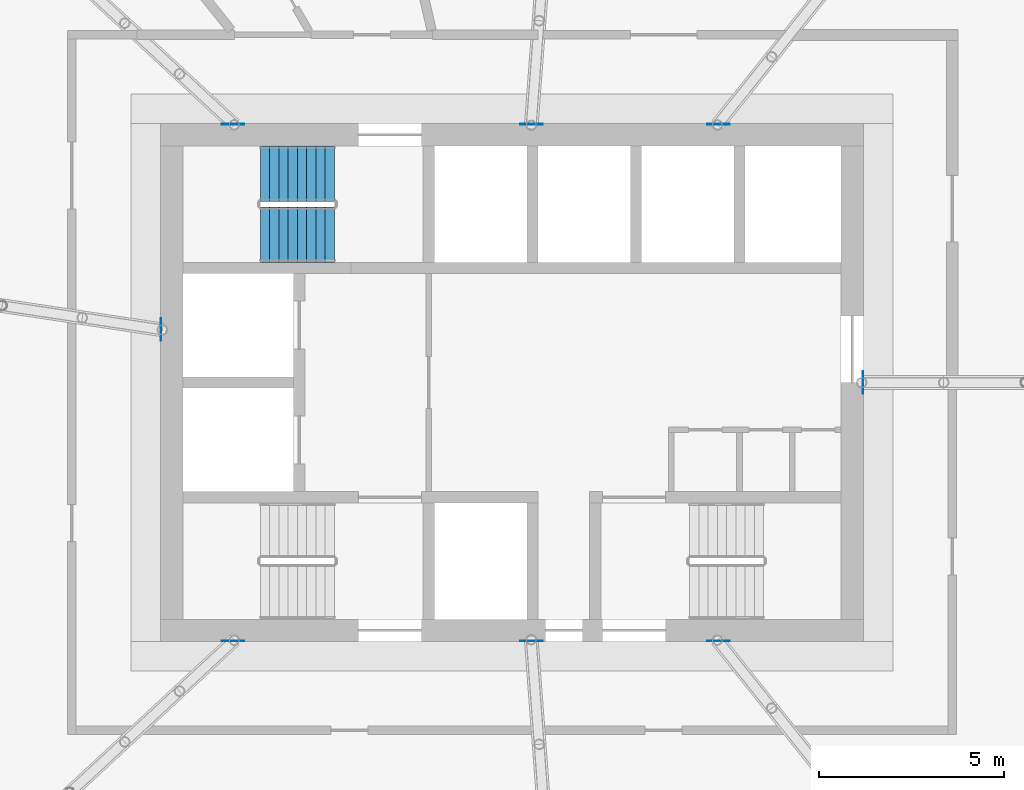
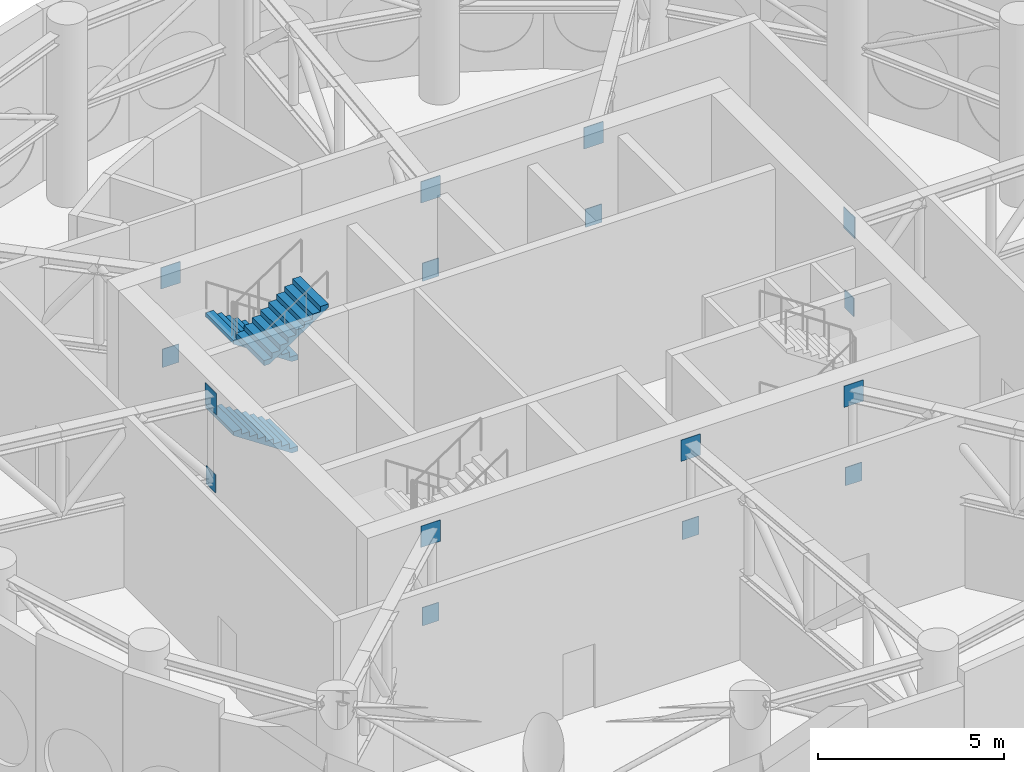
# One storey, part 12 of 13: 16 discrete accessories, 3 stair flights, 1 element without a shape of its own.
"""IFC4 building model written with IfcOpenShell, lengths in metres."""

from ifc_helpers import new_model, si_unit, direction, frame, origin, origin_2d, place, context, subcontext, project, spatial, polyline, rectangle, outline, extrude, material, layer, layer_set, type_object, element, aggregate, save


model = new_model("IFC4")

# Units and contexts
model_context = context("Model", 3, precision=1e-05, world=origin(), true_north=direction((0.0, 1.0)))
body_context = subcontext(model_context, "Body", "Model", "MODEL_VIEW")
ifc_project = project(units=[si_unit("LENGTHUNIT", "METRE"), si_unit("AREAUNIT", "SQUARE_METRE"), si_unit("VOLUMEUNIT", "CUBIC_METRE"), si_unit("PLANEANGLEUNIT", "RADIAN"), si_unit("MASSUNIT", "GRAM", prefix="KILO")], contexts=[model_context])

# Site, building, storey
site_placement = place(None, origin())
site = spatial("IfcSite", under=ifc_project, at=site_placement, CompositionType="ELEMENT")
building_placement = place(site_placement, origin())
building = spatial("IfcBuilding", under=site, at=building_placement, Name="Tracery Tower", CompositionType="ELEMENT")
storey_placement = place(building_placement, frame((0.0, 0.0, 277.800048828125)))
storey = spatial("IfcBuildingStorey", under=building, at=storey_placement, Name="L72 Plant", CompositionType="ELEMENT", Elevation=277.800048828125)

# Stair, stair flights
ifc_material_1 = material(Name="Concrete C32/40", Category="concrete")
stair_type = type_object("IfcStairType", Name="Core stair 36 risers", PredefinedType="HALF_TURN_STAIR", material=ifc_material_1)
stair_placement = place(storey_placement, origin())
stair = element("IfcStair", 1, at=stair_placement, inside=storey, type_object=stair_type, Name="L72 Plant stair ST3", PredefinedType="HALF_TURN_STAIR")
ifc_material_2 = material(Name="Concrete C32/40", Category="concrete")
stair_flight_type = type_object("IfcStairFlightType", Name="Core stair flight 9 risers", PredefinedType="STRAIGHT", material=ifc_material_2)
stair_flight_1_placement = place(storey_placement, frame((-4.800048828125, 5.64990234375, 0.0), z_axis=(0.0, 0.0, 1.0), x_axis=(-1.0, 0.0, 0.0)))
stair_flight_1 = element("IfcStairFlight", 2, at=stair_flight_1_placement, type_object=stair_flight_type, Name="ST3 flight 1", NumberOfRisers=9, NumberOfTreads=8, PredefinedType="STRAIGHT", RiserHeight=0.166666667, TreadLength=0.25, context=body_context, shape_type="SweptSolid", body=[
    extrude(outline(polyline([(0.0, 0.0), (0.0, 0.002685546875), (0.0, 0.00537109375), (0.0, 0.00830078125), (0.0, 0.010986328125), (0.0, 0.013671875), (0.0, 0.016357421875), (0.0, 0.01904296875), (0.0, 0.02197265625), (0.0, 0.024658203125), (0.0, 0.02734375), (0.0, 0.030029296875), (0.0, 0.03271484375), (0.0, 0.035400390625), (0.0, 0.038330078125), (0.0, 0.041015625), (0.0, 0.043701171875), (0.0, 0.04638671875), (0.0, 0.049072265625), (0.0, 0.052001953125), (0.0, 0.0546875), (0.0, 0.057373046875), (0.0, 0.06005859375), (0.0, 0.062744140625), (0.0, 0.065673828125), (0.0, 0.068359375), (0.0, 0.071044921875), (0.0, 0.07373046875), (0.0, 0.076416015625), (0.0, 0.079345703125), (0.0, 0.08203125), (0.0, 0.084716796875), (0.0, 0.08740234375), (0.0, 0.090087890625), (0.0, 0.093017578125), (0.0, 0.095703125), (0.0, 0.098388671875), (0.0, 0.10107421875), (0.0, 0.103759765625), (0.0, 0.1064453125), (0.0, 0.109375), (0.0, 0.112060546875), (0.0, 0.11474609375), (0.0, 0.117431640625), (0.0, 0.1201171875), (0.0, 0.123046875), (0.0, 0.125732421875), (0.0, 0.12841796875), (0.0, 0.131103515625), (0.0, 0.1337890625), (0.0, 0.13671875), (0.0, 0.139404296875), (0.0, 0.14208984375), (0.0, 0.144775390625), (0.0, 0.1474609375), (0.0, 0.150390625), (0.0, 0.153076171875), (0.0, 0.15576171875), (0.0, 0.158447265625), (0.0, 0.1611328125), (0.0, 0.163818359375), (0.0, 0.166748046875), (0.25, 0.166748046875), (0.25, 0.333251953125), (0.5, 0.333251953125), (0.5, 0.5), (0.75, 0.5), (0.75, 0.666748046875), (1.0, 0.666748046875), (1.0, 0.833251953125), (1.25, 0.833251953125), (1.25, 1.0), (1.5, 1.0), (1.5, 1.166748046875), (1.75, 1.166748046875), (1.75, 1.333251953125), (2.0, 1.333251953125), (2.0, 1.331298828125), (2.0, 1.329345703125), (2.0, 1.327392578125), (2.0, 1.325439453125), (2.0, 1.323486328125), (2.0, 1.321533203125), (2.0, 1.319580078125), (2.0, 1.317626953125), (2.0, 1.315673828125), (2.0, 1.313720703125), (2.0, 1.3115234375), (2.0, 1.3095703125), (2.0, 1.3076171875), (2.0, 1.3056640625), (2.0, 1.3037109375), (2.0, 1.3017578125), (2.0, 1.2998046875), (2.0, 1.2978515625), (2.0, 1.2958984375), (2.0, 1.2939453125), (2.0, 1.2919921875), (2.0, 1.2900390625), (2.0, 1.2880859375), (2.0, 1.285888671875), (2.0, 1.283935546875), (2.0, 1.281982421875), (2.0, 1.280029296875), (2.0, 1.278076171875), (2.0, 1.276123046875), (2.0, 1.274169921875), (2.0, 1.272216796875), (2.0, 1.270263671875), (2.0, 1.268310546875), (2.0, 1.266357421875), (2.0, 1.264404296875), (2.0, 1.262451171875), (2.0, 1.26025390625), (2.0, 1.25830078125), (2.0, 1.25634765625), (2.0, 1.25439453125), (2.0, 1.25244140625), (2.0, 1.25048828125), (2.0, 1.24853515625), (2.0, 1.24658203125), (2.0, 1.24462890625), (2.0, 1.24267578125), (2.0, 1.24072265625), (2.0, 1.23876953125), (2.0, 1.23681640625), (2.0, 1.234619140625), (2.0, 1.232666015625), (2.0, 1.230712890625), (2.0, 1.228759765625), (2.0, 1.226806640625), (2.0, 1.224853515625), (2.0, 1.222900390625), (2.0, 1.220947265625), (2.0, 1.218994140625), (2.0, 1.217041015625), (2.0, 1.215087890625), (2.0, 1.213134765625), (0.180419921875, 0.0), (0.0, 0.0)])), frame((0.0, 0.75, 0.0), z_axis=(0.0, -1.0, 0.0), x_axis=(1.0, 0.0, 0.0)), (0.0, 0.0, 1.0), 1.5),
])
stair_flight_2_placement = place(storey_placement, frame((-4.800048828125, 5.64990234375, 3.0), z_axis=(0.0, 0.0, 1.0), x_axis=(-1.0, 0.0, 0.0)))
stair_flight_2 = element("IfcStairFlight", 3, at=stair_flight_2_placement, type_object=stair_flight_type, Name="ST3 flight 3", NumberOfRisers=9, NumberOfTreads=8, PredefinedType="STRAIGHT", RiserHeight=0.166666667, TreadLength=0.25, context=body_context, shape_type="SweptSolid", body=[
    extrude(outline(polyline([(0.0, 0.0), (0.0, 0.002685546875), (0.0, 0.00537109375), (0.0, 0.00830078125), (0.0, 0.010986328125), (0.0, 0.013671875), (0.0, 0.016357421875), (0.0, 0.01904296875), (0.0, 0.02197265625), (0.0, 0.024658203125), (0.0, 0.02734375), (0.0, 0.030029296875), (0.0, 0.03271484375), (0.0, 0.035400390625), (0.0, 0.038330078125), (0.0, 0.041015625), (0.0, 0.043701171875), (0.0, 0.04638671875), (0.0, 0.049072265625), (0.0, 0.052001953125), (0.0, 0.0546875), (0.0, 0.057373046875), (0.0, 0.06005859375), (0.0, 0.062744140625), (0.0, 0.065673828125), (0.0, 0.068359375), (0.0, 0.071044921875), (0.0, 0.07373046875), (0.0, 0.076416015625), (0.0, 0.079345703125), (0.0, 0.08203125), (0.0, 0.084716796875), (0.0, 0.08740234375), (0.0, 0.090087890625), (0.0, 0.093017578125), (0.0, 0.095703125), (0.0, 0.098388671875), (0.0, 0.10107421875), (0.0, 0.103759765625), (0.0, 0.1064453125), (0.0, 0.109375), (0.0, 0.112060546875), (0.0, 0.11474609375), (0.0, 0.117431640625), (0.0, 0.1201171875), (0.0, 0.123046875), (0.0, 0.125732421875), (0.0, 0.12841796875), (0.0, 0.131103515625), (0.0, 0.1337890625), (0.0, 0.13671875), (0.0, 0.139404296875), (0.0, 0.14208984375), (0.0, 0.144775390625), (0.0, 0.1474609375), (0.0, 0.150390625), (0.0, 0.153076171875), (0.0, 0.15576171875), (0.0, 0.158447265625), (0.0, 0.1611328125), (0.0, 0.163818359375), (0.0, 0.166748046875), (0.25, 0.166748046875), (0.25, 0.333251953125), (0.5, 0.333251953125), (0.5, 0.5), (0.75, 0.5), (0.75, 0.666748046875), (1.0, 0.666748046875), (1.0, 0.833251953125), (1.25, 0.833251953125), (1.25, 1.0), (1.5, 1.0), (1.5, 1.166748046875), (1.75, 1.166748046875), (1.75, 1.333251953125), (2.0, 1.333251953125), (2.0, 1.331298828125), (2.0, 1.329345703125), (2.0, 1.327392578125), (2.0, 1.325439453125), (2.0, 1.323486328125), (2.0, 1.321533203125), (2.0, 1.319580078125), (2.0, 1.317626953125), (2.0, 1.315673828125), (2.0, 1.313720703125), (2.0, 1.3115234375), (2.0, 1.3095703125), (2.0, 1.3076171875), (2.0, 1.3056640625), (2.0, 1.3037109375), (2.0, 1.3017578125), (2.0, 1.2998046875), (2.0, 1.2978515625), (2.0, 1.2958984375), (2.0, 1.2939453125), (2.0, 1.2919921875), (2.0, 1.2900390625), (2.0, 1.2880859375), (2.0, 1.285888671875), (2.0, 1.283935546875), (2.0, 1.281982421875), (2.0, 1.280029296875), (2.0, 1.278076171875), (2.0, 1.276123046875), (2.0, 1.274169921875), (2.0, 1.272216796875), (2.0, 1.270263671875), (2.0, 1.268310546875), (2.0, 1.266357421875), (2.0, 1.264404296875), (2.0, 1.262451171875), (2.0, 1.26025390625), (2.0, 1.25830078125), (2.0, 1.25634765625), (2.0, 1.25439453125), (2.0, 1.25244140625), (2.0, 1.25048828125), (2.0, 1.24853515625), (2.0, 1.24658203125), (2.0, 1.24462890625), (2.0, 1.24267578125), (2.0, 1.24072265625), (2.0, 1.23876953125), (2.0, 1.23681640625), (2.0, 1.234619140625), (2.0, 1.232666015625), (2.0, 1.230712890625), (2.0, 1.228759765625), (2.0, 1.226806640625), (2.0, 1.224853515625), (2.0, 1.222900390625), (2.0, 1.220947265625), (2.0, 1.218994140625), (2.0, 1.217041015625), (2.0, 1.215087890625), (2.0, 1.213134765625), (0.180419921875, 0.0), (0.0, 0.0)])), frame((0.0, 0.75, 0.0), z_axis=(0.0, -1.0, 0.0), x_axis=(1.0, 0.0, 0.0)), (0.0, 0.0, 1.0), 1.5),
])
stair_flight_3_placement = place(storey_placement, frame((-6.800048828125, 4.0, 4.5), z_axis=(0.0, 0.0, 1.0), x_axis=(1.0, 0.0, 0.0)))
stair_flight_3 = element("IfcStairFlight", 4, at=stair_flight_3_placement, type_object=stair_flight_type, Name="ST3 flight 4", NumberOfRisers=9, NumberOfTreads=8, PredefinedType="STRAIGHT", RiserHeight=0.166666667, TreadLength=0.25, context=body_context, shape_type="SweptSolid", body=[
    extrude(outline(polyline([(0.0, 0.0), (0.0, 0.002685546875), (0.0, 0.00537109375), (0.0, 0.00830078125), (0.0, 0.010986328125), (0.0, 0.013671875), (0.0, 0.016357421875), (0.0, 0.01904296875), (0.0, 0.02197265625), (0.0, 0.024658203125), (0.0, 0.02734375), (0.0, 0.030029296875), (0.0, 0.03271484375), (0.0, 0.035400390625), (0.0, 0.038330078125), (0.0, 0.041015625), (0.0, 0.043701171875), (0.0, 0.04638671875), (0.0, 0.049072265625), (0.0, 0.052001953125), (0.0, 0.0546875), (0.0, 0.057373046875), (0.0, 0.06005859375), (0.0, 0.062744140625), (0.0, 0.065673828125), (0.0, 0.068359375), (0.0, 0.071044921875), (0.0, 0.07373046875), (0.0, 0.076416015625), (0.0, 0.079345703125), (0.0, 0.08203125), (0.0, 0.084716796875), (0.0, 0.08740234375), (0.0, 0.090087890625), (0.0, 0.093017578125), (0.0, 0.095703125), (0.0, 0.098388671875), (0.0, 0.10107421875), (0.0, 0.103759765625), (0.0, 0.1064453125), (0.0, 0.109375), (0.0, 0.112060546875), (0.0, 0.11474609375), (0.0, 0.117431640625), (0.0, 0.1201171875), (0.0, 0.123046875), (0.0, 0.125732421875), (0.0, 0.12841796875), (0.0, 0.131103515625), (0.0, 0.1337890625), (0.0, 0.13671875), (0.0, 0.139404296875), (0.0, 0.14208984375), (0.0, 0.144775390625), (0.0, 0.1474609375), (0.0, 0.150390625), (0.0, 0.153076171875), (0.0, 0.15576171875), (0.0, 0.158447265625), (0.0, 0.1611328125), (0.0, 0.163818359375), (0.0, 0.166748046875), (0.25, 0.166748046875), (0.25, 0.333251953125), (0.5, 0.333251953125), (0.5, 0.5), (0.75, 0.5), (0.75, 0.666748046875), (1.0, 0.666748046875), (1.0, 0.833251953125), (1.25, 0.833251953125), (1.25, 1.0), (1.5, 1.0), (1.5, 1.166748046875), (1.75, 1.166748046875), (1.75, 1.333251953125), (2.0, 1.333251953125), (2.0, 1.331298828125), (2.0, 1.329345703125), (2.0, 1.327392578125), (2.0, 1.325439453125), (2.0, 1.323486328125), (2.0, 1.321533203125), (2.0, 1.319580078125), (2.0, 1.317626953125), (2.0, 1.315673828125), (2.0, 1.313720703125), (2.0, 1.3115234375), (2.0, 1.3095703125), (2.0, 1.3076171875), (2.0, 1.3056640625), (2.0, 1.3037109375), (2.0, 1.3017578125), (2.0, 1.2998046875), (2.0, 1.2978515625), (2.0, 1.2958984375), (2.0, 1.2939453125), (2.0, 1.2919921875), (2.0, 1.2900390625), (2.0, 1.2880859375), (2.0, 1.285888671875), (2.0, 1.283935546875), (2.0, 1.281982421875), (2.0, 1.280029296875), (2.0, 1.278076171875), (2.0, 1.276123046875), (2.0, 1.274169921875), (2.0, 1.272216796875), (2.0, 1.270263671875), (2.0, 1.268310546875), (2.0, 1.266357421875), (2.0, 1.264404296875), (2.0, 1.262451171875), (2.0, 1.26025390625), (2.0, 1.25830078125), (2.0, 1.25634765625), (2.0, 1.25439453125), (2.0, 1.25244140625), (2.0, 1.25048828125), (2.0, 1.24853515625), (2.0, 1.24658203125), (2.0, 1.24462890625), (2.0, 1.24267578125), (2.0, 1.24072265625), (2.0, 1.23876953125), (2.0, 1.23681640625), (2.0, 1.234619140625), (2.0, 1.232666015625), (2.0, 1.230712890625), (2.0, 1.228759765625), (2.0, 1.226806640625), (2.0, 1.224853515625), (2.0, 1.222900390625), (2.0, 1.220947265625), (2.0, 1.218994140625), (2.0, 1.217041015625), (2.0, 1.215087890625), (2.0, 1.213134765625), (0.180419921875, 0.0), (0.0, 0.0)])), frame((0.0, 0.75, 0.0), z_axis=(0.0, -1.0, 0.0), x_axis=(1.0, 0.0, 0.0)), (0.0, 0.0, 1.0), 1.5),
])
aggregate(stair, [stair_flight_1, stair_flight_2, stair_flight_3])

# Discrete accessories
ifc_material_3 = material(Name="Steel S355", Category="steel")
ifc_layer_1 = layer(ifc_material_3, 0.02490234375)
ifc_layer_set_1 = layer_set([ifc_layer_1], Name="Core wall cast-in plate 500x600x25 for UKC 254x254x89")
discrete_accessory_type_1 = type_object("IfcDiscreteAccessoryType", Name="Core wall cast-in plate 500x600x25 for UKC 254x254x89", PredefinedType="ANCHORPLATE", material=ifc_layer_set_1)
discrete_accessory_1_placement = place(storey_placement, frame((9.487548828125, 0.0, 2.530029296875), z_axis=(0.0, 0.0, 1.0), x_axis=(1.0, 0.0, 0.0)))
element("IfcDiscreteAccessory", 5, at=discrete_accessory_1_placement, inside=storey, type_object=discrete_accessory_type_1, Name="Outrigger 1 cast-in plate bottom", PredefinedType="ANCHORPLATE", context=body_context, shape_type="SweptSolid", body=[
    extrude(rectangle(XDim=0.02490234375, YDim=0.5, at=origin_2d()), origin(), (0.0, 0.0, 1.0), 0.60009765625),
])
for number, where, z_axis, x_axis, name in (
    (6, (5.582275390625, 6.987548828125, 2.530029296875), (0.0, 0.0, 1.0), (1.0, 0.0, 0.0), "Outrigger 2 cast-in plate bottom"),
    (7, (0.524658203125, 6.987548828125, 2.530029296875), (0.0, 0.0, 1.0), (1.0, 0.0, 0.0), "Outrigger 3 cast-in plate bottom"),
    (8, (-7.544189453125, 6.987548828125, 2.530029296875), (0.0, 0.0, 1.0), (1.0, 0.0, 0.0), "Outrigger 4 cast-in plate bottom"),
):
    element("IfcDiscreteAccessory", number, at=place(storey_placement, frame(where, z_axis=z_axis, x_axis=x_axis)), inside=storey, type_object=discrete_accessory_type_1, Name=name, PredefinedType="ANCHORPLATE", context=body_context, shape_type="SweptSolid", body=[
        extrude(rectangle(XDim=0.5, YDim=0.02490234375, at=origin_2d()), origin(), (0.0, 0.0, 1.0), 0.60009765625),
    ])
discrete_accessory_2_placement = place(storey_placement, frame((-9.487548828125, 1.431884765625, 2.530029296875), z_axis=(0.0, 0.0, 1.0), x_axis=(1.0, 0.0, 0.0)))
element("IfcDiscreteAccessory", 9, at=discrete_accessory_2_placement, inside=storey, type_object=discrete_accessory_type_1, Name="Outrigger 5 cast-in plate bottom", PredefinedType="ANCHORPLATE", context=body_context, shape_type="SweptSolid", body=[
    extrude(rectangle(XDim=0.02490234375, YDim=0.5, at=origin_2d()), origin(), (0.0, 0.0, 1.0), 0.60009765625),
])
for number, where, z_axis, x_axis, name in (
    (10, (-7.544189453125, -6.987548828125, 2.530029296875), (0.0, 0.0, 1.0), (1.0, 0.0, 0.0), "Outrigger 6 cast-in plate bottom"),
    (11, (0.524658203125, -6.987548828125, 2.530029296875), (0.0, 0.0, 1.0), (1.0, 0.0, 0.0), "Outrigger 7 cast-in plate bottom"),
    (12, (5.582275390625, -6.987548828125, 2.530029296875), (0.0, 0.0, 1.0), (1.0, 0.0, 0.0), "Outrigger 8 cast-in plate bottom"),
):
    element("IfcDiscreteAccessory", number, at=place(storey_placement, frame(where, z_axis=z_axis, x_axis=x_axis)), inside=storey, type_object=discrete_accessory_type_1, Name=name, PredefinedType="ANCHORPLATE", context=body_context, shape_type="SweptSolid", body=[
        extrude(rectangle(XDim=0.5, YDim=0.02490234375, at=origin_2d()), origin(), (0.0, 0.0, 1.0), 0.60009765625),
    ])
ifc_material_4 = material(Name="Steel S355", Category="steel")
ifc_layer_2 = layer(ifc_material_4, 0.02490234375)
ifc_layer_set_2 = layer_set([ifc_layer_2], Name="Core wall cast-in plate 600x700x25 for UKC 356x368x153")
discrete_accessory_type_2 = type_object("IfcDiscreteAccessoryType", Name="Core wall cast-in plate 600x700x25 for UKC 356x368x153", PredefinedType="ANCHORPLATE", material=ifc_layer_set_2)
discrete_accessory_3_placement = place(storey_placement, frame((9.487548828125, 0.0, 5.119140625), z_axis=(0.0, 0.0, 1.0), x_axis=(1.0, 0.0, 0.0)))
element("IfcDiscreteAccessory", 13, at=discrete_accessory_3_placement, inside=storey, type_object=discrete_accessory_type_2, Name="Outrigger 1 cast-in plate top", PredefinedType="ANCHORPLATE", context=body_context, shape_type="SweptSolid", body=[
    extrude(rectangle(XDim=0.02490234375, YDim=0.60009765625, at=origin_2d()), origin(), (0.0, 0.0, 1.0), 0.699951171875),
])
for number, where, z_axis, x_axis, name in (
    (14, (5.582275390625, 6.987548828125, 5.119140625), (0.0, 0.0, 1.0), (1.0, 0.0, 0.0), "Outrigger 2 cast-in plate top"),
    (15, (0.524658203125, 6.987548828125, 5.119140625), (0.0, 0.0, 1.0), (1.0, 0.0, 0.0), "Outrigger 3 cast-in plate top"),
    (16, (-7.544189453125, 6.987548828125, 5.119140625), (0.0, 0.0, 1.0), (1.0, 0.0, 0.0), "Outrigger 4 cast-in plate top"),
):
    element("IfcDiscreteAccessory", number, at=place(storey_placement, frame(where, z_axis=z_axis, x_axis=x_axis)), inside=storey, type_object=discrete_accessory_type_2, Name=name, PredefinedType="ANCHORPLATE", context=body_context, shape_type="SweptSolid", body=[
        extrude(rectangle(XDim=0.60009765625, YDim=0.02490234375, at=origin_2d()), origin(), (0.0, 0.0, 1.0), 0.699951171875),
    ])
discrete_accessory_4_placement = place(storey_placement, frame((-9.487548828125, 1.431884765625, 5.119140625), z_axis=(0.0, 0.0, 1.0), x_axis=(1.0, 0.0, 0.0)))
element("IfcDiscreteAccessory", 17, at=discrete_accessory_4_placement, inside=storey, type_object=discrete_accessory_type_2, Name="Outrigger 5 cast-in plate top", PredefinedType="ANCHORPLATE", context=body_context, shape_type="SweptSolid", body=[
    extrude(rectangle(XDim=0.02490234375, YDim=0.60009765625, at=origin_2d()), origin(), (0.0, 0.0, 1.0), 0.699951171875),
])
for number, where, z_axis, x_axis, name in (
    (18, (-7.544189453125, -6.987548828125, 5.119140625), (0.0, 0.0, 1.0), (1.0, 0.0, 0.0), "Outrigger 6 cast-in plate top"),
    (19, (0.524658203125, -6.987548828125, 5.119140625), (0.0, 0.0, 1.0), (1.0, 0.0, 0.0), "Outrigger 7 cast-in plate top"),
    (20, (5.582275390625, -6.987548828125, 5.119140625), (0.0, 0.0, 1.0), (1.0, 0.0, 0.0), "Outrigger 8 cast-in plate top"),
):
    element("IfcDiscreteAccessory", number, at=place(storey_placement, frame(where, z_axis=z_axis, x_axis=x_axis)), inside=storey, type_object=discrete_accessory_type_2, Name=name, PredefinedType="ANCHORPLATE", context=body_context, shape_type="SweptSolid", body=[
        extrude(rectangle(XDim=0.60009765625, YDim=0.02490234375, at=origin_2d()), origin(), (0.0, 0.0, 1.0), 0.699951171875),
    ])

save(model, "model.ifc")
